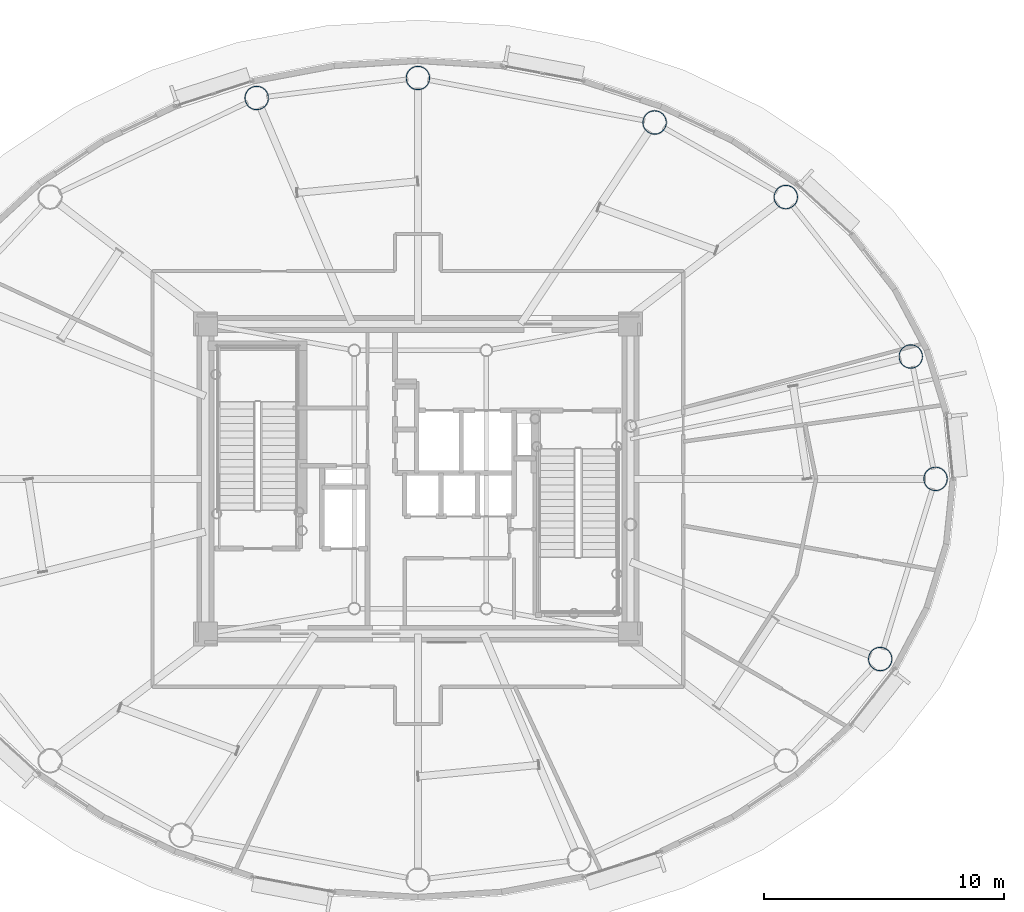
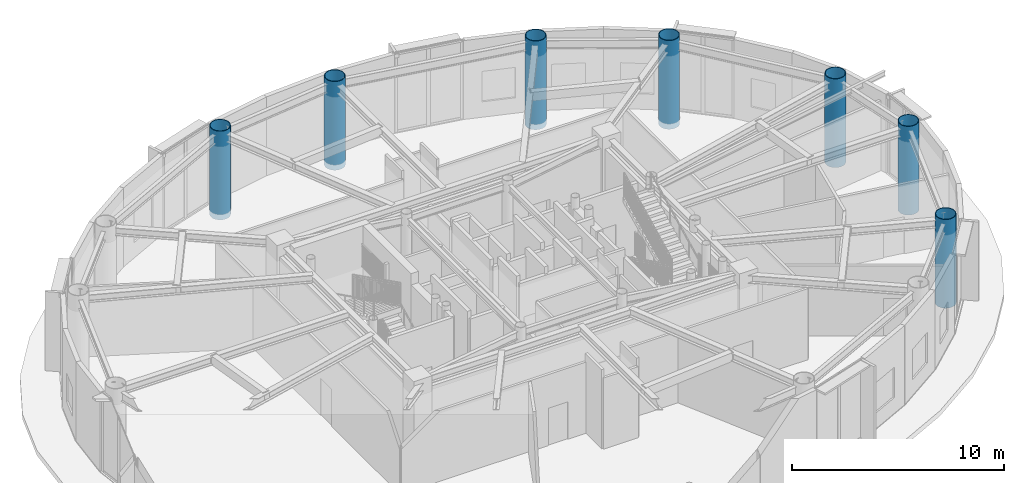
# One storey, part 2 of 32: 7 columns.
"""IFC4 building model written with IfcOpenShell, lengths in metres."""

from ifc_helpers import new_model, si_unit, direction, frame, origin, origin_2d, place, context, subcontext, project, spatial, hollow_circle, extrude, material, material_profile, profile_set, type_object, element, save


model = new_model("IFC4")

# Units and contexts
model_context = context("Model", 3, precision=1e-05, world=origin(), true_north=direction((0.0, 1.0)))
body_context = subcontext(model_context, "Body", "Model", "MODEL_VIEW")
ifc_project = project(units=[si_unit("LENGTHUNIT", "METRE"), si_unit("AREAUNIT", "SQUARE_METRE"), si_unit("VOLUMEUNIT", "CUBIC_METRE"), si_unit("PLANEANGLEUNIT", "RADIAN"), si_unit("MASSUNIT", "GRAM", prefix="KILO")], contexts=[model_context])

# Site, building, storey
site_placement = place(None, origin())
site = spatial("IfcSite", under=ifc_project, at=site_placement, CompositionType="ELEMENT")
building_placement = place(site_placement, origin())
building = spatial("IfcBuilding", under=site, at=building_placement, Name="Linh Dai School and Residence Tower", CompositionType="ELEMENT")
storey_placement = place(building_placement, frame((0.0, 0.0, 268.199951171875)))
storey = spatial("IfcBuildingStorey", under=building, at=storey_placement, Name="L66", CompositionType="ELEMENT", Elevation=268.199951171875)

# Columns
ifc_material = material(Name="Structural Steel S355JR", Category="steel")
ifc_material_profile = material_profile(ifc_material, hollow_circle(Radius=0.5, WallThickness=0.031982421875, at=origin_2d()), Name="CHS 1000x32")
ifc_profile_set = profile_set([ifc_material_profile], Name="Structural Steel S355JR")
column_type = type_object("IfcColumnType", Name="COL-MC6", PredefinedType="COLUMN", material=ifc_profile_set)
for number, where, z_axis, x_axis, name in (
    (1, (57.550048828125, 27.0, -0.300048828125), (0.0, 0.0, 1.0), (1.0, 0.0, 0.0), "L66 Perimeter CFT Mega-Column MC01"),
    (2, (56.5185546875, 32.094482421875, -0.300048828125), (0.0, 0.0, 1.0), (1.0, 0.0, 0.0), "L66 Perimeter CFT Mega-Column MC02"),
    (3, (51.315185546875, 38.7333984375, -0.300048828125), (0.0, 0.0, 1.0), (1.0, 0.0, 0.0), "L66 Perimeter CFT Mega-Column MC03"),
    (4, (45.8544921875, 41.8388671875, -0.300048828125), (0.0, 0.0, 1.0), (1.0, 0.0, 0.0), "L66 Perimeter CFT Mega-Column MC04"),
    (5, (36.0, 43.68994140625, -0.300048828125), (0.0, 0.0, 1.0), (1.0, 0.0, 0.0), "L66 Perimeter CFT Mega-Column MC05"),
    (6, (29.28759765625, 42.857666015625, -0.300048828125), (0.0, 0.0, 1.0), (1.0, 0.0, 0.0), "L66 Perimeter CFT Mega-Column MC06"),
    (7, (55.24609375, 19.50048828125, -0.300048828125), (0.0, 0.0, 1.0), (1.0, 0.0, 0.0), "L66 Perimeter CFT Mega-Column MC16"),
):
    element("IfcColumn", number, at=place(storey_placement, frame(where, z_axis=z_axis, x_axis=x_axis)), inside=storey, type_object=column_type, Name=name, PredefinedType="COLUMN", context=body_context, shape_type="SweptSolid", body=[
        extrude(hollow_circle(Radius=0.5, WallThickness=0.031982421875, at=origin_2d()), origin(), (0.0, 0.0, 1.0), 5.10009765625),
    ])

save(model, "model.ifc")
